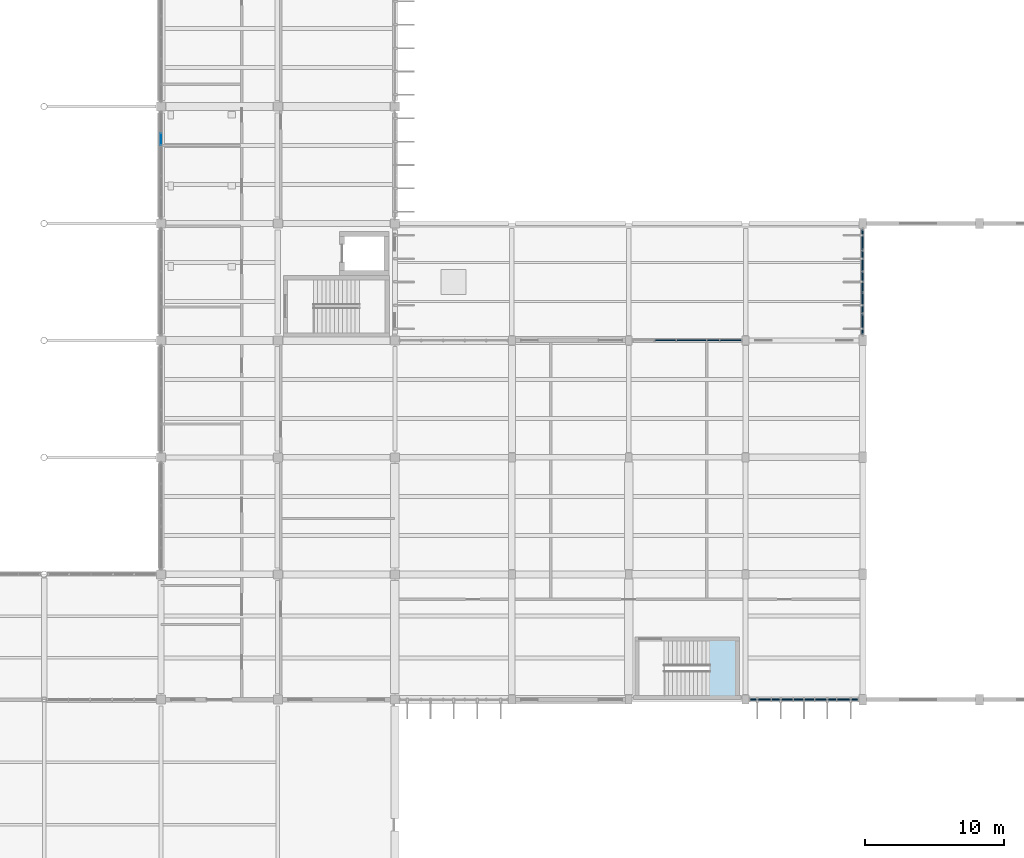
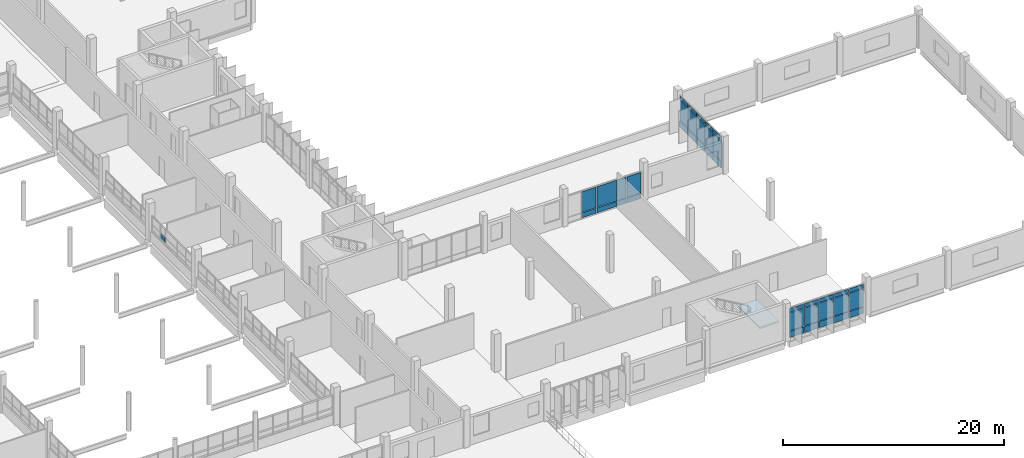
# One storey, part 80 of 101: 39 plates, 1 slab, 5 elements without a shape of their own.
"""IFC4 building model written with IfcOpenShell, lengths in metres."""

from ifc_helpers import new_model, si_unit, direction, frame, origin, origin_2d, place, context, subcontext, project, spatial, polyline, rectangle, outline, extrude, material, layer, layer_set, type_object, element, aggregate, save


model = new_model("IFC4")

# Units and contexts
model_context = context("Model", 3, precision=1e-05, world=origin(), true_north=direction((0.0, 1.0)))
body_context = subcontext(model_context, "Body", "Model", "MODEL_VIEW")
ifc_project = project(units=[si_unit("LENGTHUNIT", "METRE"), si_unit("AREAUNIT", "SQUARE_METRE"), si_unit("VOLUMEUNIT", "CUBIC_METRE"), si_unit("PLANEANGLEUNIT", "RADIAN"), si_unit("MASSUNIT", "GRAM", prefix="KILO")], contexts=[model_context])

# Site, building, storey
site_placement = place(None, origin())
site = spatial("IfcSite", under=ifc_project, at=site_placement, CompositionType="ELEMENT")
building_placement = place(site_placement, origin())
building = spatial("IfcBuilding", under=site, at=building_placement, Name="Vireocrest Preparatory School", CompositionType="ELEMENT")
storey_placement = place(building_placement, frame((0.0, 0.0, 4.800048828125)))
storey = spatial("IfcBuildingStorey", under=building, at=storey_placement, Name="L01", CompositionType="ELEMENT", Elevation=4.800048828125)

# Curtain wall, plates
ifc_material_1 = material(Name="Thermally broken aluminium EN AW-6063-T6", Category="aluminium")
ifc_layer_1 = layer(ifc_material_1, 0.179931640625)
ifc_layer_set_1 = layer_set([ifc_layer_1], Name="Thermally broken aluminium EN AW-6063-T6")
curtain_wall_type_1 = type_object("IfcCurtainWallType", Name="Side Facade Curtain Wall 9000x4200", PredefinedType="USERDEFINED", material=ifc_layer_set_1)
curtain_wall_1_placement = place(storey_placement, origin())
curtain_wall_1 = element("IfcCurtainWall", 1, at=curtain_wall_1_placement, inside=storey, type_object=curtain_wall_type_1, Name="Curtain Wall CW07 CW_L01_CW07_1346_0180_048", ObjectType="CURTAIN WALL", PredefinedType="USERDEFINED")
ifc_material_2 = material(Name="Insulated triple low-e tempered safety glass", Category="glass")
ifc_layer_2 = layer(ifc_material_2, 0.074951171875)
ifc_layer_set_2 = layer_set([ifc_layer_2], Name="Insulated triple low-e tempered safety glass")
plate_type_1 = type_object("IfcPlateType", Name="Acoustic Triple-Glazed Lab Curtain Panel 75", PredefinedType="CURTAIN_PANEL", material=ifc_layer_set_2)
plate_1_placement = place(storey_placement, frame((135.465576171875, 18.0, 0.88232421875), z_axis=(0.0, 0.0, 1.0), x_axis=(1.0, 0.0, 0.0)))
plate_1 = element("IfcPlate", 2, at=plate_1_placement, type_object=plate_type_1, Name="CW Panel GL2 CW_L01_CW07_1346_0180_048-1-2", PredefinedType="CURTAIN_PANEL", context=body_context, shape_type="SweptSolid", body=[
    extrude(rectangle(XDim=1.49609375, YDim=0.074951171875, at=origin_2d()), origin(), (0.0, 0.0, 1.0), 1.965087890625),
])
plate_2_placement = place(storey_placement, frame((135.465576171875, 18.0, 2.91259765625), z_axis=(0.0, 0.0, 1.0), x_axis=(1.0, 0.0, 0.0)))
plate_2 = element("IfcPlate", 3, at=plate_2_placement, type_object=plate_type_1, Name="CW Panel GL2 CW_L01_CW07_1346_0180_048-1-3", PredefinedType="CURTAIN_PANEL", context=body_context, shape_type="SweptSolid", body=[
    extrude(rectangle(XDim=1.49609375, YDim=0.074951171875, at=origin_2d()), origin(), (0.0, 0.0, 1.0), 0.409912109375),
])
plate_3_placement = place(storey_placement, frame((137.026611328125, 18.0, 0.88232421875), z_axis=(0.0, 0.0, 1.0), x_axis=(1.0, 0.0, 0.0)))
plate_3 = element("IfcPlate", 4, at=plate_3_placement, type_object=plate_type_1, Name="CW Panel GL2 CW_L01_CW07_1346_0180_048-2-2", PredefinedType="CURTAIN_PANEL", context=body_context, shape_type="SweptSolid", body=[
    extrude(rectangle(XDim=1.49609375, YDim=0.074951171875, at=origin_2d()), origin(), (0.0, 0.0, 1.0), 1.965087890625),
])
plate_4_placement = place(storey_placement, frame((137.026611328125, 18.0, 2.91259765625), z_axis=(0.0, 0.0, 1.0), x_axis=(1.0, 0.0, 0.0)))
plate_4 = element("IfcPlate", 5, at=plate_4_placement, type_object=plate_type_1, Name="CW Panel GL2 CW_L01_CW07_1346_0180_048-2-3", PredefinedType="CURTAIN_PANEL", context=body_context, shape_type="SweptSolid", body=[
    extrude(rectangle(XDim=1.49609375, YDim=0.074951171875, at=origin_2d()), origin(), (0.0, 0.0, 1.0), 0.409912109375),
])
plate_5_placement = place(storey_placement, frame((138.58740234375, 18.0, 0.88232421875), z_axis=(0.0, 0.0, 1.0), x_axis=(1.0, 0.0, 0.0)))
plate_5 = element("IfcPlate", 6, at=plate_5_placement, type_object=plate_type_1, Name="CW Panel GL2 CW_L01_CW07_1346_0180_048-3-2", PredefinedType="CURTAIN_PANEL", context=body_context, shape_type="SweptSolid", body=[
    extrude(rectangle(XDim=1.49609375, YDim=0.074951171875, at=origin_2d()), origin(), (0.0, 0.0, 1.0), 1.965087890625),
])
plate_6_placement = place(storey_placement, frame((138.58740234375, 18.0, 2.91259765625), z_axis=(0.0, 0.0, 1.0), x_axis=(1.0, 0.0, 0.0)))
plate_6 = element("IfcPlate", 7, at=plate_6_placement, type_object=plate_type_1, Name="CW Panel GL2 CW_L01_CW07_1346_0180_048-3-3", PredefinedType="CURTAIN_PANEL", context=body_context, shape_type="SweptSolid", body=[
    extrude(rectangle(XDim=1.49609375, YDim=0.074951171875, at=origin_2d()), origin(), (0.0, 0.0, 1.0), 0.409912109375),
])
plate_7_placement = place(storey_placement, frame((140.1484375, 18.0, 0.88232421875), z_axis=(0.0, 0.0, 1.0), x_axis=(1.0, 0.0, 0.0)))
plate_7 = element("IfcPlate", 8, at=plate_7_placement, type_object=plate_type_1, Name="CW Panel GL2 CW_L01_CW07_1346_0180_048-4-2", PredefinedType="CURTAIN_PANEL", context=body_context, shape_type="SweptSolid", body=[
    extrude(rectangle(XDim=1.49609375, YDim=0.074951171875, at=origin_2d()), origin(), (0.0, 0.0, 1.0), 1.965087890625),
])
plate_8_placement = place(storey_placement, frame((140.1484375, 18.0, 2.91259765625), z_axis=(0.0, 0.0, 1.0), x_axis=(1.0, 0.0, 0.0)))
plate_8 = element("IfcPlate", 9, at=plate_8_placement, type_object=plate_type_1, Name="CW Panel GL2 CW_L01_CW07_1346_0180_048-4-3", PredefinedType="CURTAIN_PANEL", context=body_context, shape_type="SweptSolid", body=[
    extrude(rectangle(XDim=1.49609375, YDim=0.074951171875, at=origin_2d()), origin(), (0.0, 0.0, 1.0), 0.409912109375),
])
plate_9_placement = place(storey_placement, frame((141.70947265625, 18.0, 0.88232421875), z_axis=(0.0, 0.0, 1.0), x_axis=(1.0, 0.0, 0.0)))
plate_9 = element("IfcPlate", 10, at=plate_9_placement, type_object=plate_type_1, Name="CW Panel GL2 CW_L01_CW07_1346_0180_048-5-2", PredefinedType="CURTAIN_PANEL", context=body_context, shape_type="SweptSolid", body=[
    extrude(rectangle(XDim=1.49609375, YDim=0.074951171875, at=origin_2d()), origin(), (0.0, 0.0, 1.0), 1.965087890625),
])
plate_10_placement = place(storey_placement, frame((141.70947265625, 18.0, 2.91259765625), z_axis=(0.0, 0.0, 1.0), x_axis=(1.0, 0.0, 0.0)))
plate_10 = element("IfcPlate", 11, at=plate_10_placement, type_object=plate_type_1, Name="CW Panel GL2 CW_L01_CW07_1346_0180_048-5-3", PredefinedType="CURTAIN_PANEL", context=body_context, shape_type="SweptSolid", body=[
    extrude(rectangle(XDim=1.49609375, YDim=0.074951171875, at=origin_2d()), origin(), (0.0, 0.0, 1.0), 0.409912109375),
])

ifc_layer_3 = layer(ifc_material_1, 0.179931640625)
ifc_layer_set_3 = layer_set([ifc_layer_3], Name="Thermally broken aluminium EN AW-6063-T6")
curtain_wall_type_2 = type_object("IfcCurtainWallType", Name="Teaching Fin Curtain Wall 8400x4200", PredefinedType="USERDEFINED", material=ifc_layer_set_3)
curtain_wall_2_placement = place(storey_placement, origin())
curtain_wall_2 = element("IfcCurtainWall", 12, at=curtain_wall_2_placement, inside=storey, type_object=curtain_wall_type_2, Name="Curtain Wall CW03 CW_L01_CW03_1428_0442_048", ObjectType="CURTAIN WALL", PredefinedType="USERDEFINED")
plate_11_placement = place(storey_placement, frame((142.800048828125, 44.968017578125, 0.88232421875), z_axis=(0.0, 0.0, 1.0), x_axis=(0.0, 1.0, 0.0)))
plate_11 = element("IfcPlate", 13, at=plate_11_placement, type_object=plate_type_1, Name="CW Panel GL2 CW_L01_CW03_1428_0442_048-1-2", PredefinedType="CURTAIN_PANEL", context=body_context, shape_type="SweptSolid", body=[
    extrude(rectangle(XDim=1.450927734375, YDim=0.074951171875, at=origin_2d()), origin(), (0.0, 0.0, 1.0), 2.201904296875),
])
plate_12_placement = place(storey_placement, frame((142.800048828125, 44.968017578125, 3.1494140625), z_axis=(0.0, 0.0, 1.0), x_axis=(0.0, 1.0, 0.0)))
plate_12 = element("IfcPlate", 14, at=plate_12_placement, type_object=plate_type_1, Name="CW Panel GL2 CW_L01_CW03_1428_0442_048-1-3", PredefinedType="CURTAIN_PANEL", context=body_context, shape_type="SweptSolid", body=[
    extrude(rectangle(XDim=1.450927734375, YDim=0.074951171875, at=origin_2d()), origin(), (0.0, 0.0, 1.0), 0.409912109375),
])
plate_13_placement = place(storey_placement, frame((142.800048828125, 46.48388671875, 0.88232421875), z_axis=(0.0, 0.0, 1.0), x_axis=(0.0, 1.0, 0.0)))
plate_13 = element("IfcPlate", 15, at=plate_13_placement, type_object=plate_type_1, Name="CW Panel GL2 CW_L01_CW03_1428_0442_048-2-2", PredefinedType="CURTAIN_PANEL", context=body_context, shape_type="SweptSolid", body=[
    extrude(rectangle(XDim=1.450927734375, YDim=0.074951171875, at=origin_2d()), origin(), (0.0, 0.0, 1.0), 2.201904296875),
])
plate_14_placement = place(storey_placement, frame((142.800048828125, 46.48388671875, 3.1494140625), z_axis=(0.0, 0.0, 1.0), x_axis=(0.0, 1.0, 0.0)))
plate_14 = element("IfcPlate", 16, at=plate_14_placement, type_object=plate_type_1, Name="CW Panel GL2 CW_L01_CW03_1428_0442_048-2-3", PredefinedType="CURTAIN_PANEL", context=body_context, shape_type="SweptSolid", body=[
    extrude(rectangle(XDim=1.450927734375, YDim=0.074951171875, at=origin_2d()), origin(), (0.0, 0.0, 1.0), 0.409912109375),
])
plate_15_placement = place(storey_placement, frame((142.800048828125, 48.0, 0.88232421875), z_axis=(0.0, 0.0, 1.0), x_axis=(0.0, 1.0, 0.0)))
plate_15 = element("IfcPlate", 17, at=plate_15_placement, type_object=plate_type_1, Name="CW Panel GL2 CW_L01_CW03_1428_0442_048-3-2", PredefinedType="CURTAIN_PANEL", context=body_context, shape_type="SweptSolid", body=[
    extrude(rectangle(XDim=1.450927734375, YDim=0.074951171875, at=origin_2d()), origin(), (0.0, 0.0, 1.0), 2.201904296875),
])
plate_16_placement = place(storey_placement, frame((142.800048828125, 48.0, 3.1494140625), z_axis=(0.0, 0.0, 1.0), x_axis=(0.0, 1.0, 0.0)))
plate_16 = element("IfcPlate", 18, at=plate_16_placement, type_object=plate_type_1, Name="CW Panel GL2 CW_L01_CW03_1428_0442_048-3-3", PredefinedType="CURTAIN_PANEL", context=body_context, shape_type="SweptSolid", body=[
    extrude(rectangle(XDim=1.450927734375, YDim=0.074951171875, at=origin_2d()), origin(), (0.0, 0.0, 1.0), 0.409912109375),
])
plate_17_placement = place(storey_placement, frame((142.800048828125, 49.51611328125, 0.88232421875), z_axis=(0.0, 0.0, 1.0), x_axis=(0.0, 1.0, 0.0)))
plate_17 = element("IfcPlate", 19, at=plate_17_placement, type_object=plate_type_1, Name="CW Panel GL2 CW_L01_CW03_1428_0442_048-4-2", PredefinedType="CURTAIN_PANEL", context=body_context, shape_type="SweptSolid", body=[
    extrude(rectangle(XDim=1.450927734375, YDim=0.074951171875, at=origin_2d()), origin(), (0.0, 0.0, 1.0), 2.201904296875),
])
plate_18_placement = place(storey_placement, frame((142.800048828125, 49.51611328125, 3.1494140625), z_axis=(0.0, 0.0, 1.0), x_axis=(0.0, 1.0, 0.0)))
plate_18 = element("IfcPlate", 20, at=plate_18_placement, type_object=plate_type_1, Name="CW Panel GL2 CW_L01_CW03_1428_0442_048-4-3", PredefinedType="CURTAIN_PANEL", context=body_context, shape_type="SweptSolid", body=[
    extrude(rectangle(XDim=1.450927734375, YDim=0.074951171875, at=origin_2d()), origin(), (0.0, 0.0, 1.0), 0.409912109375),
])
plate_19_placement = place(storey_placement, frame((142.800048828125, 51.031982421875, 0.88232421875), z_axis=(0.0, 0.0, 1.0), x_axis=(0.0, 1.0, 0.0)))
plate_19 = element("IfcPlate", 21, at=plate_19_placement, type_object=plate_type_1, Name="CW Panel GL2 CW_L01_CW03_1428_0442_048-5-2", PredefinedType="CURTAIN_PANEL", context=body_context, shape_type="SweptSolid", body=[
    extrude(rectangle(XDim=1.450927734375, YDim=0.074951171875, at=origin_2d()), origin(), (0.0, 0.0, 1.0), 2.201904296875),
])
plate_20_placement = place(storey_placement, frame((142.800048828125, 51.031982421875, 3.1494140625), z_axis=(0.0, 0.0, 1.0), x_axis=(0.0, 1.0, 0.0)))
plate_20 = element("IfcPlate", 22, at=plate_20_placement, type_object=plate_type_1, Name="CW Panel GL2 CW_L01_CW03_1428_0442_048-5-3", PredefinedType="CURTAIN_PANEL", context=body_context, shape_type="SweptSolid", body=[
    extrude(rectangle(XDim=1.450927734375, YDim=0.074951171875, at=origin_2d()), origin(), (0.0, 0.0, 1.0), 0.409912109375),
])

ifc_layer_4 = layer(ifc_material_1, 0.179931640625)
ifc_layer_set_4 = layer_set([ifc_layer_4], Name="Thermally broken aluminium EN AW-6063-T6")
curtain_wall_type_3 = type_object("IfcCurtainWallType", Name="Library Reading Bay Glazing 7600x4200", PredefinedType="USERDEFINED", material=ifc_layer_set_4)
curtain_wall_3_placement = place(storey_placement, origin())
curtain_wall_3 = element("IfcCurtainWall", 23, at=curtain_wall_3_placement, inside=storey, type_object=curtain_wall_type_3, Name="Curtain Wall CW16 CW_L01_CW16_1262_0438_048", ObjectType="CURTAIN WALL", PredefinedType="USERDEFINED")
plate_21_placement = place(storey_placement, frame((128.634033203125, 43.800048828125, 0.12744140625), z_axis=(0.0, 0.0, 1.0), x_axis=(1.0, 0.0, 0.0)))
plate_21 = element("IfcPlate", 24, at=plate_21_placement, type_object=plate_type_1, Name="CW Panel GL2 CW_L01_CW16_1262_0438_048-2-1", PredefinedType="CURTAIN_PANEL", context=body_context, shape_type="SweptSolid", body=[
    extrude(rectangle(XDim=1.5009765625, YDim=0.074951171875, at=origin_2d()), origin(), (0.0, 0.0, 1.0), 0.5400390625),
])
plate_22_placement = place(storey_placement, frame((128.634033203125, 43.800048828125, 0.732421875), z_axis=(0.0, 0.0, 1.0), x_axis=(1.0, 0.0, 0.0)))
plate_22 = element("IfcPlate", 25, at=plate_22_placement, type_object=plate_type_1, Name="CW Panel GL2 CW_L01_CW16_1262_0438_048-2-2", PredefinedType="CURTAIN_PANEL", context=body_context, shape_type="SweptSolid", body=[
    extrude(rectangle(XDim=1.5009765625, YDim=0.074951171875, at=origin_2d()), origin(), (0.0, 0.0, 1.0), 2.2900390625),
])
plate_23_placement = place(storey_placement, frame((130.508544921875, 43.800048828125, 0.12744140625), z_axis=(0.0, 0.0, 1.0), x_axis=(1.0, 0.0, 0.0)))
plate_23 = element("IfcPlate", 26, at=plate_23_placement, type_object=plate_type_1, Name="CW Panel GL2 CW_L01_CW16_1262_0438_048-3-1", PredefinedType="CURTAIN_PANEL", context=body_context, shape_type="SweptSolid", body=[
    extrude(rectangle(XDim=2.117919921875, YDim=0.074951171875, at=origin_2d()), origin(), (0.0, 0.0, 1.0), 0.5400390625),
])
plate_24_placement = place(storey_placement, frame((130.508544921875, 43.800048828125, 0.732421875), z_axis=(0.0, 0.0, 1.0), x_axis=(1.0, 0.0, 0.0)))
plate_24 = element("IfcPlate", 27, at=plate_24_placement, type_object=plate_type_1, Name="CW Panel GL2 CW_L01_CW16_1262_0438_048-3-2", PredefinedType="CURTAIN_PANEL", context=body_context, shape_type="SweptSolid", body=[
    extrude(rectangle(XDim=2.117919921875, YDim=0.074951171875, at=origin_2d()), origin(), (0.0, 0.0, 1.0), 2.2900390625),
])
plate_25_placement = place(storey_placement, frame((132.074462890625, 43.800048828125, 0.12744140625), z_axis=(0.0, 0.0, 1.0), x_axis=(1.0, 0.0, 0.0)))
plate_25 = element("IfcPlate", 28, at=plate_25_placement, type_object=plate_type_1, Name="CW Panel GL2 CW_L01_CW16_1262_0438_048-4-1", PredefinedType="CURTAIN_PANEL", context=body_context, shape_type="SweptSolid", body=[
    extrude(rectangle(XDim=0.884033203125, YDim=0.074951171875, at=origin_2d()), origin(), (0.0, 0.0, 1.0), 0.5400390625),
])
plate_26_placement = place(storey_placement, frame((132.074462890625, 43.800048828125, 0.732421875), z_axis=(0.0, 0.0, 1.0), x_axis=(1.0, 0.0, 0.0)))
plate_26 = element("IfcPlate", 29, at=plate_26_placement, type_object=plate_type_1, Name="CW Panel GL2 CW_L01_CW16_1262_0438_048-4-2", PredefinedType="CURTAIN_PANEL", context=body_context, shape_type="SweptSolid", body=[
    extrude(rectangle(XDim=0.884033203125, YDim=0.074951171875, at=origin_2d()), origin(), (0.0, 0.0, 1.0), 2.2900390625),
])
plate_27_placement = place(storey_placement, frame((133.33203125, 43.800048828125, 0.12744140625), z_axis=(0.0, 0.0, 1.0), x_axis=(1.0, 0.0, 0.0)))
plate_27 = element("IfcPlate", 30, at=plate_27_placement, type_object=plate_type_1, Name="CW Panel GL2 CW_L01_CW16_1262_0438_048-5-1", PredefinedType="CURTAIN_PANEL", context=body_context, shape_type="SweptSolid", body=[
    extrude(rectangle(XDim=1.5009765625, YDim=0.074951171875, at=origin_2d()), origin(), (0.0, 0.0, 1.0), 0.5400390625),
])
plate_28_placement = place(storey_placement, frame((133.33203125, 43.800048828125, 0.732421875), z_axis=(0.0, 0.0, 1.0), x_axis=(1.0, 0.0, 0.0)))
plate_28 = element("IfcPlate", 31, at=plate_28_placement, type_object=plate_type_1, Name="CW Panel GL2 CW_L01_CW16_1262_0438_048-5-2", PredefinedType="CURTAIN_PANEL", context=body_context, shape_type="SweptSolid", body=[
    extrude(rectangle(XDim=1.5009765625, YDim=0.074951171875, at=origin_2d()), origin(), (0.0, 0.0, 1.0), 2.2900390625),
])
aggregate(curtain_wall_3, [plate_21, plate_22, plate_23, plate_24, plate_25, plate_26, plate_27, plate_28])

# Plate
ifc_material_3 = material(Name="Painted white aluminium cladding EN AW-6063-T6", Category="aluminium")
ifc_layer_5 = layer(ifc_material_3, 0.114990234375)
ifc_layer_set_5 = layer_set([ifc_layer_5], Name="Painted white aluminium cladding EN AW-6063-T6")
plate_type_2 = type_object("IfcPlateType", Name="Insulated White Spandrel Curtain Panel 115", PredefinedType="CURTAIN_PANEL", material=ifc_layer_set_5)
plate_29_placement = place(storey_placement, frame((135.465576171875, 18.0, 0.12744140625), z_axis=(0.0, 0.0, 1.0), x_axis=(1.0, 0.0, 0.0)))
plate_29 = element("IfcPlate", 32, at=plate_29_placement, type_object=plate_type_2, Name="CW Panel SP2 CW_L01_CW07_1346_0180_048-1-1", PredefinedType="CURTAIN_PANEL", context=body_context, shape_type="SweptSolid", body=[
    extrude(rectangle(XDim=1.49609375, YDim=0.114990234375, at=origin_2d()), origin(), (0.0, 0.0, 1.0), 0.68994140625),
])

plate_30_placement = place(storey_placement, frame((137.026611328125, 18.0, 0.12744140625), z_axis=(0.0, 0.0, 1.0), x_axis=(1.0, 0.0, 0.0)))
plate_30 = element("IfcPlate", 33, at=plate_30_placement, type_object=plate_type_2, Name="CW Panel SP2 CW_L01_CW07_1346_0180_048-2-1", PredefinedType="CURTAIN_PANEL", context=body_context, shape_type="SweptSolid", body=[
    extrude(rectangle(XDim=1.49609375, YDim=0.114990234375, at=origin_2d()), origin(), (0.0, 0.0, 1.0), 0.68994140625),
])

plate_31_placement = place(storey_placement, frame((138.58740234375, 18.0, 0.12744140625), z_axis=(0.0, 0.0, 1.0), x_axis=(1.0, 0.0, 0.0)))
plate_31 = element("IfcPlate", 34, at=plate_31_placement, type_object=plate_type_2, Name="CW Panel SP2 CW_L01_CW07_1346_0180_048-3-1", PredefinedType="CURTAIN_PANEL", context=body_context, shape_type="SweptSolid", body=[
    extrude(rectangle(XDim=1.49609375, YDim=0.114990234375, at=origin_2d()), origin(), (0.0, 0.0, 1.0), 0.68994140625),
])

plate_32_placement = place(storey_placement, frame((140.1484375, 18.0, 0.12744140625), z_axis=(0.0, 0.0, 1.0), x_axis=(1.0, 0.0, 0.0)))
plate_32 = element("IfcPlate", 35, at=plate_32_placement, type_object=plate_type_2, Name="CW Panel SP2 CW_L01_CW07_1346_0180_048-4-1", PredefinedType="CURTAIN_PANEL", context=body_context, shape_type="SweptSolid", body=[
    extrude(rectangle(XDim=1.49609375, YDim=0.114990234375, at=origin_2d()), origin(), (0.0, 0.0, 1.0), 0.68994140625),
])

plate_33_placement = place(storey_placement, frame((141.70947265625, 18.0, 0.12744140625), z_axis=(0.0, 0.0, 1.0), x_axis=(1.0, 0.0, 0.0)))
plate_33 = element("IfcPlate", 36, at=plate_33_placement, type_object=plate_type_2, Name="CW Panel SP2 CW_L01_CW07_1346_0180_048-5-1", PredefinedType="CURTAIN_PANEL", context=body_context, shape_type="SweptSolid", body=[
    extrude(rectangle(XDim=1.49609375, YDim=0.114990234375, at=origin_2d()), origin(), (0.0, 0.0, 1.0), 0.68994140625),
])

aggregate(curtain_wall_1, [plate_29, plate_1, plate_2, plate_30, plate_3, plate_4, plate_31, plate_5, plate_6, plate_32, plate_7, plate_8, plate_33, plate_9, plate_10])

plate_34_placement = place(storey_placement, frame((142.800048828125, 44.968017578125, 0.12744140625), z_axis=(0.0, 0.0, 1.0), x_axis=(0.0, 1.0, 0.0)))
plate_34 = element("IfcPlate", 37, at=plate_34_placement, type_object=plate_type_2, Name="CW Panel SP2 CW_L01_CW03_1428_0442_048-1-1", PredefinedType="CURTAIN_PANEL", context=body_context, shape_type="SweptSolid", body=[
    extrude(rectangle(XDim=1.450927734375, YDim=0.114990234375, at=origin_2d()), origin(), (0.0, 0.0, 1.0), 0.68994140625),
])

plate_35_placement = place(storey_placement, frame((142.800048828125, 46.48388671875, 0.12744140625), z_axis=(0.0, 0.0, 1.0), x_axis=(0.0, 1.0, 0.0)))
plate_35 = element("IfcPlate", 38, at=plate_35_placement, type_object=plate_type_2, Name="CW Panel SP2 CW_L01_CW03_1428_0442_048-2-1", PredefinedType="CURTAIN_PANEL", context=body_context, shape_type="SweptSolid", body=[
    extrude(rectangle(XDim=1.450927734375, YDim=0.114990234375, at=origin_2d()), origin(), (0.0, 0.0, 1.0), 0.68994140625),
])

plate_36_placement = place(storey_placement, frame((142.800048828125, 48.0, 0.12744140625), z_axis=(0.0, 0.0, 1.0), x_axis=(0.0, 1.0, 0.0)))
plate_36 = element("IfcPlate", 39, at=plate_36_placement, type_object=plate_type_2, Name="CW Panel SP2 CW_L01_CW03_1428_0442_048-3-1", PredefinedType="CURTAIN_PANEL", context=body_context, shape_type="SweptSolid", body=[
    extrude(rectangle(XDim=1.450927734375, YDim=0.114990234375, at=origin_2d()), origin(), (0.0, 0.0, 1.0), 0.68994140625),
])

plate_37_placement = place(storey_placement, frame((142.800048828125, 49.51611328125, 0.12744140625), z_axis=(0.0, 0.0, 1.0), x_axis=(0.0, 1.0, 0.0)))
plate_37 = element("IfcPlate", 40, at=plate_37_placement, type_object=plate_type_2, Name="CW Panel SP2 CW_L01_CW03_1428_0442_048-4-1", PredefinedType="CURTAIN_PANEL", context=body_context, shape_type="SweptSolid", body=[
    extrude(rectangle(XDim=1.450927734375, YDim=0.114990234375, at=origin_2d()), origin(), (0.0, 0.0, 1.0), 0.68994140625),
])

plate_38_placement = place(storey_placement, frame((142.800048828125, 51.031982421875, 0.12744140625), z_axis=(0.0, 0.0, 1.0), x_axis=(0.0, 1.0, 0.0)))
plate_38 = element("IfcPlate", 41, at=plate_38_placement, type_object=plate_type_2, Name="CW Panel SP2 CW_L01_CW03_1428_0442_048-5-1", PredefinedType="CURTAIN_PANEL", context=body_context, shape_type="SweptSolid", body=[
    extrude(rectangle(XDim=1.450927734375, YDim=0.114990234375, at=origin_2d()), origin(), (0.0, 0.0, 1.0), 0.68994140625),
])

aggregate(curtain_wall_2, [plate_34, plate_11, plate_12, plate_35, plate_13, plate_14, plate_36, plate_15, plate_16, plate_37, plate_17, plate_18, plate_38, plate_19, plate_20])

# Stair, slab
ifc_material_4 = material(Name="Concrete 40 MPa", Category="concrete")
stair_type = type_object("IfcStairType", Name="Feature Library Stair 4200 Rise 1800 Wide", PredefinedType="HALF_TURN_STAIR", material=ifc_material_4)
stair_placement = place(storey_placement, origin())
stair = element("IfcStair", 42, at=stair_placement, inside=storey, type_object=stair_type, Name="Two-Run Stair ST6-L01", PredefinedType="HALF_TURN_STAIR")
ifc_layer_6 = layer(ifc_material_4, 0.179931640625)
ifc_layer_set_6 = layer_set([ifc_layer_6], Name="Concrete 40 MPa")
slab_type = type_object("IfcSlabType", Name="Precast Concrete Stair Landing Slab 180", PredefinedType="LANDING", material=ifc_layer_set_6)
slab_placement = place(storey_placement, frame((0.0, 0.0, 1.919921875)))
slab = element("IfcSlab", 43, at=slab_placement, type_object=slab_type, Name="Stair Half-Landing ST6-L01", PredefinedType="LANDING", context=body_context, shape_type="SweptSolid", body=[
    extrude(outline(polyline([(131.7900390625, 18.260009765625), (133.794921875, 18.260009765625), (133.794921875, 22.239990234375), (131.7900390625, 22.239990234375), (131.7900390625, 18.260009765625)])), origin(), (0.0, 0.0, 1.0), 0.179931640625),
])
aggregate(stair, [slab])

# Curtain wall, plate
ifc_layer_7 = layer(ifc_material_1, 0.179931640625)
ifc_layer_set_7 = layer_set([ifc_layer_7], Name="Thermally broken aluminium EN AW-6063-T6")
curtain_wall_type_4 = type_object("IfcCurtainWallType", Name="Court Banded Curtain Wall 8400x3000", PredefinedType="USERDEFINED", material=ifc_layer_set_7)
curtain_wall_4_placement = place(storey_placement, origin())
curtain_wall_4 = element("IfcCurtainWall", 44, at=curtain_wall_4_placement, inside=storey, type_object=curtain_wall_type_4, Name="Curtain Wall CW02 CW_L01_CW02_0924_0525_060", ObjectType="CURTAIN WALL", PredefinedType="USERDEFINED")
ifc_layer_8 = layer(ifc_material_2, 0.06005859375)
ifc_layer_set_8 = layer_set([ifc_layer_8], Name="Insulated triple low-e tempered safety glass")
plate_type_3 = type_object("IfcPlateType", Name="Triple-Glazed Vision Curtain Panel 60", PredefinedType="CURTAIN_PANEL", material=ifc_layer_set_8)
plate_39_placement = place(storey_placement, frame((92.39990234375, 58.251953125, 1.27734375), z_axis=(0.0, 0.0, 1.0), x_axis=(0.0, 1.0, 0.0)))
plate_39 = element("IfcPlate", 45, at=plate_39_placement, type_object=plate_type_3, Name="CW Panel GL1 CW_L01_CW02_0924_0525_060-4-1", PredefinedType="CURTAIN_PANEL", context=body_context, shape_type="SweptSolid", body=[
    extrude(rectangle(XDim=0.839111328125, YDim=0.06005859375, at=origin_2d()), origin(), (0.0, 0.0, 1.0), 0.5400390625),
])
aggregate(curtain_wall_4, [plate_39])

save(model, "model.ifc")
